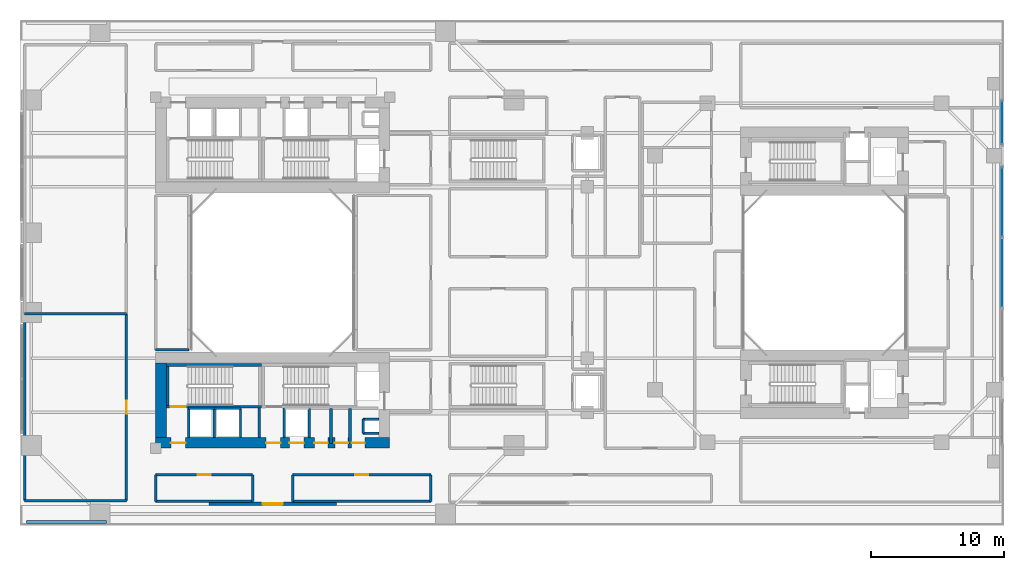
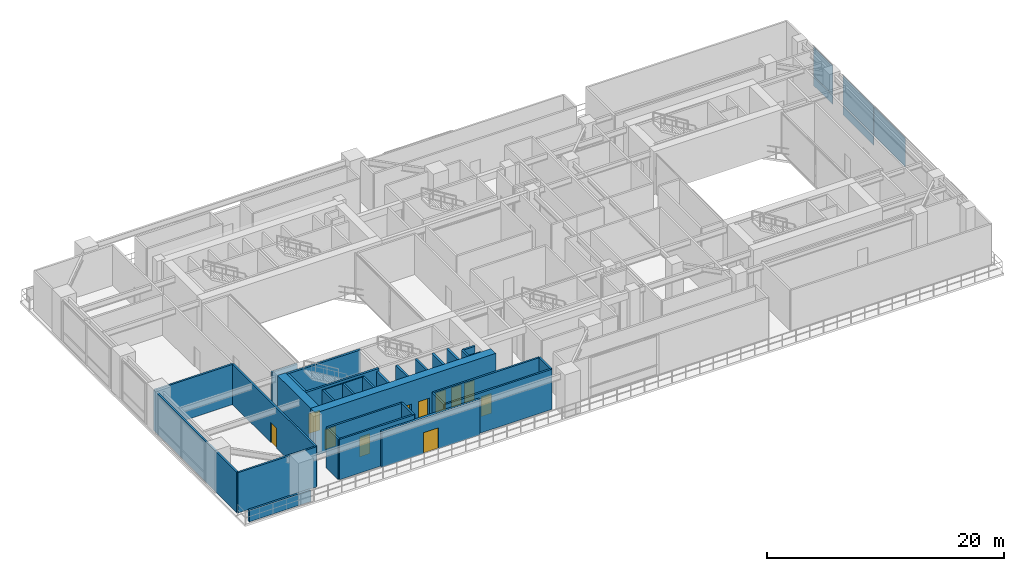
# One storey, part 11 of 20: 33 walls, 11 doors, 5 plates, 11 openings, 2 elements without a shape of their own.
"""IFC4 building model written with IfcOpenShell, lengths in metres."""

from ifc_helpers import new_model, si_unit, direction, frame, frame_2d, origin, origin_2d, place, context, subcontext, project, spatial, rectangle, extrude, source, transform, mapped, material, layer, layer_set, type_object, element, fill, aggregate, save


model = new_model("IFC4")

# Units and contexts
model_context = context("Model", 3, precision=1e-05, world=origin(), true_north=direction((0.0, 1.0)))
body_context = subcontext(model_context, "Body", "Model", "MODEL_VIEW")
ifc_project = project(units=[si_unit("LENGTHUNIT", "METRE"), si_unit("AREAUNIT", "SQUARE_METRE"), si_unit("VOLUMEUNIT", "CUBIC_METRE"), si_unit("PLANEANGLEUNIT", "RADIAN"), si_unit("MASSUNIT", "GRAM", prefix="KILO"), si_unit("THERMODYNAMICTEMPERATUREUNIT", "KELVIN"), si_unit("POWERUNIT", "WATT")], contexts=[model_context])

# Site, building, storey
site_placement = place(None, origin())
site = spatial("IfcSite", under=ifc_project, at=site_placement, CompositionType="ELEMENT")
building_placement = place(site_placement, origin())
building = spatial("IfcBuilding", under=site, at=building_placement, Name="Qiaomeng Ring Towers", CompositionType="ELEMENT")
storey_placement = place(building_placement, frame((0.0, 0.0, 13.800048828125)))
storey = spatial("IfcBuildingStorey", under=building, at=storey_placement, Name="L03", CompositionType="ELEMENT", Elevation=13.800048828125)

# Curtain wall, plate
ifc_material_1 = material(Name="Fluorocarbon dark-grey aluminium", Category="aluminium")
ifc_layer_1 = layer(ifc_material_1, 0.179931640625, Name="Fluorocarbon dark-grey aluminium")
ifc_layer_set_1 = layer_set([ifc_layer_1], Name="Fluorocarbon dark-grey aluminium")
curtain_wall_type = type_object("IfcCurtainWallType", Name="ARC-CW-1", PredefinedType="NOTDEFINED", material=ifc_layer_set_1)
curtain_wall_1_placement = place(storey_placement, origin())
curtain_wall_1 = element("IfcCurtainWall", 1, at=curtain_wall_1_placement, inside=storey, type_object=curtain_wall_type, Name="L03 Curtain Wall CW1", PredefinedType="NOTDEFINED")
ifc_material_2 = material(Name="Low-E pale-green laminated safety glass", Category="glass")
ifc_layer_2 = layer(ifc_material_2, 0.031982421875, Name="Low-E pale-green laminated safety glass")
ifc_layer_set_2 = layer_set([ifc_layer_2], Name="Low-E pale-green laminated safety glass")
plate_type = type_object("IfcPlateType", Name="ARC-CWP-GREEN", PredefinedType="CURTAIN_PANEL", material=ifc_layer_set_2)
shared_shape_1 = source(origin(), body_context, "Body", "SweptSolid", [
    extrude(rectangle(XDim=5.219970703125, YDim=0.031982421875, at=origin_2d()), origin(), (0.0, 0.0, 1.0), 0.945068359375),
])
plate_1_placement = place(storey_placement, frame((73.85009765625, 28.320068359375, 0.06982421875), z_axis=(0.0, 0.0, 1.0), x_axis=(0.0, 1.0, 0.0)))
plate_1 = element("IfcPlate", 2, at=plate_1_placement, type_object=plate_type, Name="CW1 panel 3.1", PredefinedType="CURTAIN_PANEL", context=body_context, shape_type="MappedRepresentation", body=[
    mapped(shared_shape_1, transform((0.0, 0.0, 0.0), x_axis=(1.0, 0.0, 0.0), y_axis=(0.0, 1.0, 0.0), z_axis=(0.0, 0.0, 1.0), scale=1.0)),
])

# Curtain wall, plates
curtain_wall_2_placement = place(storey_placement, origin())
curtain_wall_2 = element("IfcCurtainWall", 3, at=curtain_wall_2_placement, inside=storey, type_object=curtain_wall_type, Name="L03 Curtain Wall CW1", PredefinedType="NOTDEFINED")
shared_shape_2 = source(origin(), body_context, "Body", "SweptSolid", [
    extrude(rectangle(XDim=3.25, YDim=0.031982421875, at=origin_2d()), origin(), (0.0, 0.0, 1.0), 0.945068359375),
])
plate_2_placement = place(storey_placement, frame((73.85009765625, 34.294921875, 0.06982421875), z_axis=(0.0, 0.0, 1.0), x_axis=(0.0, 1.0, 0.0)))
plate_2 = element("IfcPlate", 4, at=plate_2_placement, type_object=plate_type, Name="CW1 panel 1.1", PredefinedType="CURTAIN_PANEL", context=body_context, shape_type="MappedRepresentation", body=[
    mapped(shared_shape_2, transform((0.0, 0.0, 0.0), x_axis=(1.0, 0.0, 0.0), y_axis=(0.0, 1.0, 0.0), z_axis=(0.0, 0.0, 1.0), scale=1.0)),
])
shared_shape_3 = source(origin(), body_context, "Body", "SweptSolid", [
    extrude(rectangle(XDim=3.25, YDim=0.031982421875, at=origin_2d()), origin(), (0.0, 0.0, 1.0), 2.9951171875),
])
plate_3_placement = place(storey_placement, frame((73.85009765625, 34.294921875, 1.0849609375), z_axis=(0.0, 0.0, 1.0), x_axis=(0.0, 1.0, 0.0)))
plate_3 = element("IfcPlate", 5, at=plate_3_placement, type_object=plate_type, Name="CW1 panel 1.2", PredefinedType="CURTAIN_PANEL", context=body_context, shape_type="MappedRepresentation", body=[
    mapped(shared_shape_3, transform((0.0, 0.0, 0.0), x_axis=(1.0, 0.0, 0.0), y_axis=(0.0, 1.0, 0.0), z_axis=(0.0, 0.0, 1.0), scale=1.0)),
])
aggregate(curtain_wall_2, [plate_2, plate_3])

# Plate
shared_shape_4 = source(origin(), body_context, "Body", "SweptSolid", [
    extrude(rectangle(XDim=5.219970703125, YDim=0.031982421875, at=origin_2d()), origin(), (0.0, 0.0, 1.0), 2.9951171875),
])
plate_4_placement = place(storey_placement, frame((73.85009765625, 28.320068359375, 1.0849609375), z_axis=(0.0, 0.0, 1.0), x_axis=(0.0, 1.0, 0.0)))
plate_4 = element("IfcPlate", 6, at=plate_4_placement, type_object=plate_type, Name="CW1 panel 3.2", PredefinedType="CURTAIN_PANEL", context=body_context, shape_type="MappedRepresentation", body=[
    mapped(shared_shape_4, transform((0.0, 0.0, 0.0), x_axis=(1.0, 0.0, 0.0), y_axis=(0.0, 1.0, 0.0), z_axis=(0.0, 0.0, 1.0), scale=1.0)),
])

shared_shape_5 = source(origin(), body_context, "Body", "SweptSolid", [
    extrude(rectangle(XDim=5.260009765625, YDim=0.031982421875, at=origin_2d()), origin(), (0.0, 0.0, 1.0), 2.9951171875),
])
plate_5_placement = place(storey_placement, frame((73.85009765625, 23.0, 1.0849609375), z_axis=(0.0, 0.0, 1.0), x_axis=(0.0, 1.0, 0.0)))
plate_5 = element("IfcPlate", 7, at=plate_5_placement, type_object=plate_type, Name="CW1 panel 2.2", PredefinedType="CURTAIN_PANEL", context=body_context, shape_type="MappedRepresentation", body=[
    mapped(shared_shape_5, transform((0.0, 0.0, 0.0), x_axis=(1.0, 0.0, 0.0), y_axis=(0.0, 1.0, 0.0), z_axis=(0.0, 0.0, 1.0), scale=1.0)),
])

aggregate(curtain_wall_1, [plate_5, plate_1, plate_4])

# Wall, opening, door
ifc_material_3 = material(Name="Precast concrete C40", Category="concrete")
ifc_layer_3 = layer(ifc_material_3, 0.25, Name="Precast concrete C40")
ifc_layer_set_3 = layer_set([ifc_layer_3], Name="Precast concrete C40")
wall_type_1 = type_object("IfcWallType", Name="ARC-WL-EW1", PredefinedType="STANDARD", material=ifc_layer_set_3)
wall_1_placement = place(storey_placement, frame((14.199951171875, 5.625, 0.0), z_axis=(0.0, 0.0, 1.0), x_axis=(1.0, 0.0, 0.0)))
wall_1 = element("IfcWall", 8, at=wall_1_placement, inside=storey, type_object=wall_type_1, Name="L03 South Podium Wall", PredefinedType="STANDARD", context=body_context, shape_type="SweptSolid", body=[
    extrude(rectangle(XDim=9.60009765625, YDim=0.25, at=frame_2d((4.800048828125, 0.0))), origin(), (0.0, 0.0, 1.0), 3.68994140625),
])
opening_1_placement = place(wall_1_placement, frame((4.050048828125, 0.0, 0.0)))
opening_1 = element("IfcOpeningElement", 9, at=opening_1_placement, cuts=wall_1, Name="Opening BD2", PredefinedType="OPENING", context=body_context, shape_type="SweptSolid", body=[
    extrude(rectangle(XDim=1.5, YDim=2.14990234375, at=frame_2d((0.75, 1.074951171875))), frame((0.0, 0.135009765625, 0.0), z_axis=(0.0, -1.0, 0.0), x_axis=(1.0, 0.0, 0.0)), (0.0, 0.0, 1.0), 0.27001953125),
])
door_type_1 = type_object("IfcDoorType", Name="ARC-DR-BD2", OperationType="NOTDEFINED", PredefinedType="DOOR", material=ifc_material_2)
shared_shape_6 = source(origin(), body_context, "Body", "SweptSolid", [
    extrude(rectangle(XDim=1.5, YDim=2.14990234375, at=frame_2d((0.75, 1.074951171875))), frame((0.0, 0.02490234375, 0.0), z_axis=(0.0, -1.0, 0.0), x_axis=(1.0, 0.0, 0.0)), (0.0, 0.0, 1.0), 0.050048828125),
])
door_1_placement = place(opening_1_placement, frame((1.5, 0.0, 0.0), z_axis=(0.0, 0.0, 1.0), x_axis=(-1.0, 0.0, 0.0)))
door_1 = element("IfcDoor", 10, at=door_1_placement, inside=storey, type_object=door_type_1, Name="L03 South Podium Terrace Door", OperationType="DOUBLE_DOOR_SINGLE_SWING", OverallHeight=2.14990234375, OverallWidth=1.5, PredefinedType="DOOR", context=body_context, shape_type="MappedRepresentation", body=[
    mapped(shared_shape_6, transform((0.0, 0.0, 0.0), x_axis=(1.0, 0.0, 0.0), y_axis=(0.0, 1.0, 0.0), z_axis=(0.0, 0.0, 1.0), scale=1.0)),
])
fill(opening_1, door_1)

# Walls
ifc_layer_4 = layer(ifc_material_3, 0.199951171875, Name="Precast concrete C40")
ifc_layer_set_4 = layer_set([ifc_layer_4], Name="Precast concrete C40")
wall_type_2 = type_object("IfcWallType", Name="ARC-WL-PP1", PredefinedType="PARAPET", material=ifc_layer_set_4)
wall_2_placement = place(storey_placement, frame((0.5, 4.25, 0.0), z_axis=(0.0, 0.0, 1.0), x_axis=(1.0, 0.0, 0.0)))
element("IfcWall", 11, at=wall_2_placement, inside=storey, type_object=wall_type_2, Name="L03 South Terrace Parapet PP1", PredefinedType="PARAPET", context=body_context, shape_type="SweptSolid", body=[
    extrude(rectangle(XDim=6.0, YDim=0.199951171875, at=frame_2d((3.0, 0.0))), origin(), (0.0, 0.0, 1.0), 1.199951171875),
])
ifc_material_4 = material(Name="Autoclaved aerated concrete block", Category="concrete")
ifc_layer_5 = layer(ifc_material_4, 0.199951171875, Name="Autoclaved aerated concrete block")
ifc_layer_set_5 = layer_set([ifc_layer_5], Name="Autoclaved aerated concrete block")
wall_type_3 = type_object("IfcWallType", Name="ARC-WL-PW1", PredefinedType="PARTITIONING", material=ifc_layer_set_5)
for number, where, z_axis, x_axis, name in (
    (12, (12.679931640625, 10.60009765625, 0.0), (0.0, 0.0, 1.0), (0.0, 1.0, 0.0), "L03 Interior Wall PW1"),
    (13, (18.0, 10.60009765625, 0.0), (0.0, 0.0, 1.0), (0.0, 1.0, 0.0), "L03 Interior Wall PW1"),
    (14, (19.8798828125, 10.60009765625, 0.0), (0.0, 0.0, 1.0), (0.0, 1.0, 0.0), "L03 Interior Wall PW1"),
):
    element("IfcWall", number, at=place(storey_placement, frame(where, z_axis=z_axis, x_axis=x_axis)), inside=storey, type_object=wall_type_3, Name=name, PredefinedType="PARTITIONING", context=body_context, shape_type="SweptSolid", body=[
        extrude(rectangle(XDim=2.2099609375, YDim=0.199951171875, at=frame_2d((1.10498046875, 0.0))), origin(), (0.0, 0.0, 1.0), 4.14990234375),
    ])
wall_3_placement = place(storey_placement, frame((24.820068359375, 10.14990234375, 0.0), z_axis=(0.0, 0.0, 1.0), x_axis=(0.0, 1.0, 0.0)))
element("IfcWall", 15, at=wall_3_placement, inside=storey, type_object=wall_type_3, Name="L03 Interior Wall PW1", PredefinedType="PARTITIONING", context=body_context, shape_type="SweptSolid", body=[
    extrude(rectangle(XDim=2.650146484375, YDim=0.199951171875, at=frame_2d((1.3251953125, 0.0))), origin(), (0.0, 0.0, 1.0), 4.14990234375),
])
wall_4_placement = place(storey_placement, frame((21.75, 10.60009765625, 0.0), z_axis=(0.0, 0.0, 1.0), x_axis=(0.0, 1.0, 0.0)))
element("IfcWall", 16, at=wall_4_placement, inside=storey, type_object=wall_type_3, Name="L03 Interior Wall PW1", PredefinedType="PARTITIONING", context=body_context, shape_type="SweptSolid", body=[
    extrude(rectangle(XDim=2.199951171875, YDim=0.199951171875, at=frame_2d((1.10009765625, 0.0))), origin(), (0.0, 0.0, 1.0), 4.14990234375),
])
wall_5_placement = place(storey_placement, frame((23.389892578125, 10.14990234375, 0.0), z_axis=(0.0, 0.0, 1.0), x_axis=(0.0, 1.0, 0.0)))
element("IfcWall", 17, at=wall_5_placement, inside=storey, type_object=wall_type_3, Name="L03 Interior Wall PW1", PredefinedType="PARTITIONING", context=body_context, shape_type="SweptSolid", body=[
    extrude(rectangle(XDim=2.650146484375, YDim=0.199951171875, at=frame_2d((1.3251953125, 0.0))), origin(), (0.0, 0.0, 1.0), 4.14990234375),
])
ifc_layer_6 = layer(ifc_material_4, 0.179931640625, Name="Autoclaved aerated concrete block")
ifc_layer_set_6 = layer_set([ifc_layer_6], Name="Autoclaved aerated concrete block")
wall_type_4 = type_object("IfcWallType", Name="ARC-WL-PW2", PredefinedType="PARTITIONING", material=ifc_layer_set_6)
for number, where, z_axis, x_axis, name in (
    (18, (0.35009765625, 5.85009765625, 0.0), (0.0, 0.0, 1.0), (1.0, 0.0, 0.0), "L03 Interior Wall PW2"),
    (19, (0.35009765625, 19.89990234375, 0.0), (0.0, 0.0, 1.0), (1.0, 0.0, 0.0), "L03 Interior Wall PW2"),
):
    element("IfcWall", number, at=place(storey_placement, frame(where, z_axis=z_axis, x_axis=x_axis)), inside=storey, type_object=wall_type_4, Name=name, PredefinedType="PARTITIONING", context=body_context, shape_type="SweptSolid", body=[
        extrude(rectangle(XDim=7.64990234375, YDim=0.179931640625, at=frame_2d((3.824951171875, 0.0))), origin(), (0.0, 0.0, 1.0), 4.14990234375),
    ])
wall_6_placement = place(storey_placement, frame((0.35009765625, 5.85009765625, 0.0), z_axis=(0.0, 0.0, 1.0), x_axis=(0.0, 1.0, 0.0)))
element("IfcWall", 20, at=wall_6_placement, inside=storey, type_object=wall_type_4, Name="L03 Interior Wall PW2", PredefinedType="PARTITIONING", context=body_context, shape_type="SweptSolid", body=[
    extrude(rectangle(XDim=14.0498046875, YDim=0.179931640625, at=frame_2d((7.02490234375, 0.0))), origin(), (0.0, 0.0, 1.0), 4.14990234375),
])

# Wall, opening, door
wall_7_placement = place(storey_placement, frame((8.0, 5.85009765625, 0.0), z_axis=(0.0, 0.0, 1.0), x_axis=(0.0, 1.0, 0.0)))
wall_7 = element("IfcWall", 21, at=wall_7_placement, inside=storey, type_object=wall_type_4, Name="L03 Interior Wall PW2", PredefinedType="PARTITIONING", context=body_context, shape_type="SweptSolid", body=[
    extrude(rectangle(XDim=14.0498046875, YDim=0.179931640625, at=frame_2d((7.02490234375, 0.0))), origin(), (0.0, 0.0, 1.0), 4.14990234375),
])
opening_2_placement = place(wall_7_placement, frame((6.52490234375, 0.0, 0.0)))
opening_2 = element("IfcOpeningElement", 22, at=opening_2_placement, cuts=wall_7, Name="Opening FD4", PredefinedType="OPENING", context=body_context, shape_type="SweptSolid", body=[
    extrude(rectangle(XDim=1.0, YDim=2.050048828125, at=frame_2d((0.5, 1.02490234375))), frame((0.0, 0.099853515625, 0.0), z_axis=(0.0, -1.0, 0.0), x_axis=(1.0, 0.0, 0.0)), (0.0, 0.0, 1.0), 0.199951171875),
])
ifc_material_5 = material(Name="Engineered fire-rated oak timber", Category="wood")
door_type_2 = type_object("IfcDoorType", Name="ARC-DR-FD4", OperationType="NOTDEFINED", PredefinedType="DOOR", material=ifc_material_5)
shared_shape_7 = source(origin(), body_context, "Body", "SweptSolid", [
    extrude(rectangle(XDim=1.0, YDim=2.050048828125, at=frame_2d((0.5, 1.02490234375))), frame((0.0, 0.02490234375, 0.0), z_axis=(0.0, -1.0, 0.0), x_axis=(1.0, 0.0, 0.0)), (0.0, 0.0, 1.0), 0.050048828125),
])
door_2_placement = place(opening_2_placement, origin())
door_2 = element("IfcDoor", 23, at=door_2_placement, inside=storey, type_object=door_type_2, Name="L03 L03 General Practice Clinic Door", OperationType="SINGLE_SWING_LEFT", OverallHeight=2.050048828125, OverallWidth=1.0, PredefinedType="DOOR", context=body_context, shape_type="MappedRepresentation", body=[
    mapped(shared_shape_7, transform((0.0, 0.0, 0.0), x_axis=(1.0, 0.0, 0.0), y_axis=(0.0, 1.0, 0.0), z_axis=(0.0, 0.0, 1.0), scale=1.0)),
])
fill(opening_2, door_2)

# Walls
wall_8_placement = place(storey_placement, frame((10.199951171875, 17.199951171875, 0.0), z_axis=(0.0, 0.0, 1.0), x_axis=(1.0, 0.0, 0.0)))
element("IfcWall", 24, at=wall_8_placement, inside=storey, type_object=wall_type_4, Name="L03 Interior Wall PW2", PredefinedType="PARTITIONING", context=body_context, shape_type="SweptSolid", body=[
    extrude(rectangle(XDim=2.5, YDim=0.179931640625, at=frame_2d((1.25, 0.0))), origin(), (0.0, 0.0, 1.0), 4.14990234375),
])
wall_9_placement = place(storey_placement, frame((10.199951171875, 5.800048828125, 0.0), z_axis=(0.0, 0.0, 1.0), x_axis=(1.0, 0.0, 0.0)))
element("IfcWall", 25, at=wall_9_placement, inside=storey, type_object=wall_type_4, Name="L03 Interior Wall PW2", PredefinedType="PARTITIONING", context=body_context, shape_type="SweptSolid", body=[
    extrude(rectangle(XDim=7.300048828125, YDim=0.179931640625, at=frame_2d((3.64990234375, 0.0))), origin(), (0.0, 0.0, 1.0), 4.14990234375),
])

# Wall, opening, door
wall_10_placement = place(storey_placement, frame((10.199951171875, 7.800048828125, 0.0), z_axis=(0.0, 0.0, 1.0), x_axis=(1.0, 0.0, 0.0)))
wall_10 = element("IfcWall", 26, at=wall_10_placement, inside=storey, type_object=wall_type_4, Name="L03 Interior Wall PW2", PredefinedType="PARTITIONING", context=body_context, shape_type="SweptSolid", body=[
    extrude(rectangle(XDim=7.300048828125, YDim=0.179931640625, at=frame_2d((3.64990234375, 0.0))), origin(), (0.0, 0.0, 1.0), 4.14990234375),
])
opening_3_placement = place(wall_10_placement, frame((3.14990234375, 0.0, 0.0)))
opening_3 = element("IfcOpeningElement", 27, at=opening_3_placement, cuts=wall_10, Name="Opening FD4", PredefinedType="OPENING", context=body_context, shape_type="SweptSolid", body=[
    extrude(rectangle(XDim=1.0, YDim=2.050048828125, at=frame_2d((0.5, 1.02490234375))), frame((0.0, 0.099853515625, 0.0), z_axis=(0.0, -1.0, 0.0), x_axis=(1.0, 0.0, 0.0)), (0.0, 0.0, 1.0), 0.199951171875),
])
door_3_placement = place(opening_3_placement, origin())
door_3 = element("IfcDoor", 28, at=door_3_placement, inside=storey, type_object=door_type_2, Name="L03 L03 Outpatient Rehabilitation Clinic Door", OperationType="SINGLE_SWING_LEFT", OverallHeight=2.050048828125, OverallWidth=1.0, PredefinedType="DOOR", context=body_context, shape_type="MappedRepresentation", body=[
    mapped(shared_shape_7, transform((0.0, 0.0, 0.0), x_axis=(1.0, 0.0, 0.0), y_axis=(0.0, 1.0, 0.0), z_axis=(0.0, 0.0, 1.0), scale=1.0)),
])
fill(opening_3, door_3)

# Walls
for number, where, z_axis, x_axis, name in (
    (29, (10.199951171875, 5.800048828125, 0.0), (0.0, 0.0, 1.0), (0.0, 1.0, 0.0), "L03 Interior Wall PW2"),
    (30, (17.5, 5.800048828125, 0.0), (0.0, 0.0, 1.0), (0.0, 1.0, 0.0), "L03 Interior Wall PW2"),
):
    element("IfcWall", number, at=place(storey_placement, frame(where, z_axis=z_axis, x_axis=x_axis)), inside=storey, type_object=wall_type_4, Name=name, PredefinedType="PARTITIONING", context=body_context, shape_type="SweptSolid", body=[
        extrude(rectangle(XDim=2.0, YDim=0.179931640625, at=frame_2d((1.0, 0.0))), origin(), (0.0, 0.0, 1.0), 4.14990234375),
    ])
wall_11_placement = place(storey_placement, frame((20.5, 5.800048828125, 0.0), z_axis=(0.0, 0.0, 1.0), x_axis=(1.0, 0.0, 0.0)))
element("IfcWall", 31, at=wall_11_placement, inside=storey, type_object=wall_type_4, Name="L03 Interior Wall PW2", PredefinedType="PARTITIONING", context=body_context, shape_type="SweptSolid", body=[
    extrude(rectangle(XDim=10.39990234375, YDim=0.179931640625, at=frame_2d((5.199951171875, 0.0))), origin(), (0.0, 0.0, 1.0), 4.14990234375),
])

# Wall, opening, door
wall_12_placement = place(storey_placement, frame((20.5, 7.800048828125, 0.0), z_axis=(0.0, 0.0, 1.0), x_axis=(1.0, 0.0, 0.0)))
wall_12 = element("IfcWall", 32, at=wall_12_placement, inside=storey, type_object=wall_type_4, Name="L03 Interior Wall PW2", PredefinedType="PARTITIONING", context=body_context, shape_type="SweptSolid", body=[
    extrude(rectangle(XDim=10.39990234375, YDim=0.179931640625, at=frame_2d((5.199951171875, 0.0))), origin(), (0.0, 0.0, 1.0), 4.14990234375),
])
opening_4_placement = place(wall_12_placement, frame((4.699951171875, 0.0, 0.0)))
opening_4 = element("IfcOpeningElement", 33, at=opening_4_placement, cuts=wall_12, Name="Opening FD4", PredefinedType="OPENING", context=body_context, shape_type="SweptSolid", body=[
    extrude(rectangle(XDim=1.0, YDim=2.050048828125, at=frame_2d((0.5, 1.02490234375))), frame((0.0, 0.099853515625, 0.0), z_axis=(0.0, -1.0, 0.0), x_axis=(1.0, 0.0, 0.0)), (0.0, 0.0, 1.0), 0.199951171875),
])
door_4_placement = place(opening_4_placement, origin())
door_4 = element("IfcDoor", 34, at=door_4_placement, inside=storey, type_object=door_type_2, Name="L03 L03 Vaccination Treatment Suite Door", OperationType="SINGLE_SWING_RIGHT", OverallHeight=2.050048828125, OverallWidth=1.0, PredefinedType="DOOR", context=body_context, shape_type="MappedRepresentation", body=[
    mapped(shared_shape_7, transform((0.0, 0.0, 0.0), x_axis=(1.0, 0.0, 0.0), y_axis=(0.0, 1.0, 0.0), z_axis=(0.0, 0.0, 1.0), scale=1.0)),
])
fill(opening_4, door_4)

# Walls
for number, where, z_axis, x_axis, name in (
    (35, (20.5, 5.800048828125, 0.0), (0.0, 0.0, 1.0), (0.0, 1.0, 0.0), "L03 Interior Wall PW2"),
    (36, (30.89990234375, 5.800048828125, 0.0), (0.0, 0.0, 1.0), (0.0, 1.0, 0.0), "L03 Interior Wall PW2"),
):
    element("IfcWall", number, at=place(storey_placement, frame(where, z_axis=z_axis, x_axis=x_axis)), inside=storey, type_object=wall_type_4, Name=name, PredefinedType="PARTITIONING", context=body_context, shape_type="SweptSolid", body=[
        extrude(rectangle(XDim=2.0, YDim=0.179931640625, at=frame_2d((1.0, 0.0))), origin(), (0.0, 0.0, 1.0), 4.14990234375),
    ])
ifc_material_6 = material(Name="Concrete C40", Category="concrete")
ifc_layer_7 = layer(ifc_material_6, 0.199951171875, Name="Concrete C40")
ifc_layer_set_7 = layer_set([ifc_layer_7], Name="Concrete C40")
wall_type_5 = type_object("IfcWallType", Name="STR-WL-STSHAFT", PredefinedType="SHEAR", material=ifc_layer_set_7)
wall_13_placement = place(storey_placement, frame((12.679931640625, 12.800048828125, 0.0), z_axis=(0.0, 0.0, 1.0), x_axis=(1.0, 0.0, 0.0)))
element("IfcWall", 37, at=wall_13_placement, inside=storey, type_object=wall_type_5, Name="L03 Lift LP6 Shaft Back Wall", PredefinedType="SHEAR", context=body_context, shape_type="SweptSolid", body=[
    extrude(rectangle(XDim=1.940185546875, YDim=0.179931640625, at=frame_2d((0.97021484375, 0.0))), origin(), (0.0, 0.0, 1.0), 4.14990234375),
])
wall_14_placement = place(storey_placement, frame((14.6201171875, 10.60009765625, 0.0), z_axis=(0.0, 0.0, 1.0), x_axis=(0.0, 1.0, 0.0)))
element("IfcWall", 38, at=wall_14_placement, inside=storey, type_object=wall_type_5, Name="L03 Lift LP6-LP4 Shaft Divider Wall", PredefinedType="SHEAR", context=body_context, shape_type="SweptSolid", body=[
    extrude(rectangle(XDim=2.199951171875, YDim=0.179931640625, at=frame_2d((1.10009765625, 0.0))), origin(), (0.0, 0.0, 1.0), 4.14990234375),
])
wall_15_placement = place(storey_placement, frame((25.800048828125, 10.919921875, 0.0), z_axis=(0.0, 0.0, 1.0), x_axis=(0.0, 1.0, 0.0)))
element("IfcWall", 39, at=wall_15_placement, inside=storey, type_object=wall_type_5, Name="L03 Riser RSR1 West Shaft Wall S", PredefinedType="SHEAR", context=body_context, shape_type="SweptSolid", body=[
    extrude(rectangle(XDim=1.06005859375, YDim=0.179931640625, at=frame_2d((0.530029296875, 0.0))), origin(), (0.0, 0.0, 1.0), 4.14990234375),
])
for number, where, z_axis, x_axis, name in (
    (40, (25.800048828125, 11.97998046875, 0.0), (0.0, 0.0, 1.0), (1.0, 0.0, 0.0), "L03 Riser RSR1 North Shaft Wall S"),
    (41, (25.800048828125, 10.919921875, 0.0), (0.0, 0.0, 1.0), (1.0, 0.0, 0.0), "L03 Riser RSR1 South Shaft Wall S"),
):
    element("IfcWall", number, at=place(storey_placement, frame(where, z_axis=z_axis, x_axis=x_axis)), inside=storey, type_object=wall_type_5, Name=name, PredefinedType="SHEAR", context=body_context, shape_type="SweptSolid", body=[
        extrude(rectangle(XDim=1.199951171875, YDim=0.179931640625, at=frame_2d((0.60009765625, 0.0))), origin(), (0.0, 0.0, 1.0), 4.14990234375),
    ])
wall_16_placement = place(storey_placement, frame((14.6201171875, 12.800048828125, 0.0), z_axis=(0.0, 0.0, 1.0), x_axis=(1.0, 0.0, 0.0)))
element("IfcWall", 42, at=wall_16_placement, inside=storey, type_object=wall_type_5, Name="L03 Lift LP4 Shaft Back Wall", PredefinedType="SHEAR", context=body_context, shape_type="SweptSolid", body=[
    extrude(rectangle(XDim=1.9599609375, YDim=0.179931640625, at=frame_2d((0.97998046875, 0.0))), origin(), (0.0, 0.0, 1.0), 4.14990234375),
])
wall_17_placement = place(storey_placement, frame((16.580078125, 10.60009765625, 0.0), z_axis=(0.0, 0.0, 1.0), x_axis=(0.0, 1.0, 0.0)))
element("IfcWall", 43, at=wall_17_placement, inside=storey, type_object=wall_type_5, Name="L03 Lift LP4 East Shaft Wall", PredefinedType="SHEAR", context=body_context, shape_type="SweptSolid", body=[
    extrude(rectangle(XDim=2.199951171875, YDim=0.179931640625, at=frame_2d((1.10009765625, 0.0))), origin(), (0.0, 0.0, 1.0), 4.14990234375),
])

# Wall, opening, door
wall_18_placement = place(storey_placement, frame((11.0, 12.909912109375, 0.0), z_axis=(0.0, 0.0, 1.0), x_axis=(1.0, 0.0, 0.0)))
wall_18 = element("IfcWall", 44, at=wall_18_placement, inside=storey, type_object=wall_type_5, Name="L03 Stair ST3 South Shaft Shear Wall", PredefinedType="SHEAR", context=body_context, shape_type="SweptSolid", body=[
    extrude(rectangle(XDim=7.14990234375, YDim=0.199951171875, at=frame_2d((3.574951171875, 0.0))), origin(), (0.0, 0.0, 1.0), 4.39990234375),
])
opening_5_placement = place(wall_18_placement, frame((0.35009765625, 0.0, 0.0)))
opening_5 = element("IfcOpeningElement", 45, at=opening_5_placement, cuts=wall_18, Name="Opening FD3", PredefinedType="OPENING", context=body_context, shape_type="SweptSolid", body=[
    extrude(rectangle(XDim=1.10009765625, YDim=2.050048828125, at=frame_2d((0.550048828125, 1.02490234375))), frame((0.0, 0.10986328125, 0.0), z_axis=(0.0, -1.0, 0.0), x_axis=(1.0, 0.0, 0.0)), (0.0, 0.0, 1.0), 0.219970703125),
])
ifc_material_7 = material(Name="Galvanised steel", Category="steel")
door_type_3 = type_object("IfcDoorType", Name="ARC-DR-FD3", OperationType="NOTDEFINED", PredefinedType="DOOR", material=ifc_material_7)
shared_shape_8 = source(origin(), body_context, "Body", "SweptSolid", [
    extrude(rectangle(XDim=1.10009765625, YDim=2.050048828125, at=frame_2d((0.550048828125, 1.02490234375))), frame((0.0, 0.02490234375, 0.0), z_axis=(0.0, -1.0, 0.0), x_axis=(1.0, 0.0, 0.0)), (0.0, 0.0, 1.0), 0.050048828125),
])
door_5_placement = place(opening_5_placement, frame((1.10009765625, 0.0, 0.0), z_axis=(0.0, 0.0, 1.0), x_axis=(-1.0, 0.0, 0.0)))
door_5 = element("IfcDoor", 46, at=door_5_placement, inside=storey, type_object=door_type_3, Name="L03 Stair ST3 Exit Door", OperationType="SINGLE_SWING_RIGHT", OverallHeight=2.050048828125, OverallWidth=1.10009765625, PredefinedType="DOOR", context=body_context, shape_type="MappedRepresentation", body=[
    mapped(shared_shape_8, transform((0.0, 0.0, 0.0), x_axis=(1.0, 0.0, 0.0), y_axis=(0.0, 1.0, 0.0), z_axis=(0.0, 0.0, 1.0), scale=1.0)),
])
fill(opening_5, door_5)

# Walls
wall_19_placement = place(storey_placement, frame((11.0, 16.050048828125, 0.0), z_axis=(0.0, 0.0, 1.0), x_axis=(1.0, 0.0, 0.0)))
element("IfcWall", 47, at=wall_19_placement, inside=storey, type_object=wall_type_5, Name="L03 Stair ST3 North Shaft Shear Wall", PredefinedType="SHEAR", context=body_context, shape_type="SweptSolid", body=[
    extrude(rectangle(XDim=7.14990234375, YDim=0.199951171875, at=frame_2d((3.574951171875, 0.0))), origin(), (0.0, 0.0, 1.0), 4.39990234375),
])
wall_20_placement = place(storey_placement, frame((11.10009765625, 13.010009765625, 0.0), z_axis=(0.0, 0.0, 1.0), x_axis=(0.0, 1.0, 0.0)))
element("IfcWall", 48, at=wall_20_placement, inside=storey, type_object=wall_type_5, Name="L03 Stair ST3 West Shaft Shear Wall", PredefinedType="SHEAR", context=body_context, shape_type="SweptSolid", body=[
    extrude(rectangle(XDim=2.93994140625, YDim=0.199951171875, at=frame_2d((1.469970703125, 0.0))), origin(), (0.0, 0.0, 1.0), 4.39990234375),
])

# Wall, openings, doors
ifc_material_8 = material(Name="Concrete C60", Category="concrete")
ifc_layer_8 = layer(ifc_material_8, 0.800048828125, Name="Concrete C60")
ifc_layer_set_8 = layer_set([ifc_layer_8], Name="Concrete C60")
wall_type_6 = type_object("IfcWallType", Name="STR-WL-SW1", PredefinedType="SHEAR", material=ifc_layer_set_8)
wall_21_placement = place(storey_placement, frame((10.199951171875, 10.199951171875, 0.0), z_axis=(0.0, 0.0, 1.0), x_axis=(1.0, 0.0, 0.0)))
wall_21 = element("IfcWall", 49, at=wall_21_placement, inside=storey, type_object=wall_type_6, Name="L03 T1SC south core shear wall", PredefinedType="SHEAR", context=body_context, shape_type="SweptSolid", body=[
    extrude(rectangle(XDim=17.60009765625, YDim=0.800048828125, at=frame_2d((8.800048828125, 0.0))), origin(), (0.0, 0.0, 1.0), 4.39990234375),
])
opening_6_placement = place(wall_21_placement, frame((1.14990234375, 0.0, 0.0)))
opening_6 = element("IfcOpeningElement", 50, at=opening_6_placement, cuts=wall_21, Name="Opening FD3", PredefinedType="OPENING", context=body_context, shape_type="SweptSolid", body=[
    extrude(rectangle(XDim=1.10009765625, YDim=2.050048828125, at=frame_2d((0.550048828125, 1.02490234375))), frame((0.0, 0.409912109375, 0.0), z_axis=(0.0, -1.0, 0.0), x_axis=(1.0, 0.0, 0.0)), (0.0, 0.0, 1.0), 0.820068359375),
])
opening_7_placement = place(wall_21_placement, frame((8.300048828125, 0.0, 0.0)))
opening_7 = element("IfcOpeningElement", 51, at=opening_7_placement, cuts=wall_21, Name="Opening FD3", PredefinedType="OPENING", context=body_context, shape_type="SweptSolid", body=[
    extrude(rectangle(XDim=1.10009765625, YDim=2.050048828125, at=frame_2d((0.550048828125, 1.02490234375))), frame((0.0, 0.409912109375, 0.0), z_axis=(0.0, -1.0, 0.0), x_axis=(1.0, 0.0, 0.0)), (0.0, 0.0, 1.0), 0.820068359375),
])
opening_8_placement = place(wall_21_placement, frame((10.050048828125, 0.0, 0.0)))
opening_8 = element("IfcOpeningElement", 52, at=opening_8_placement, cuts=wall_21, Name="Opening LD1", PredefinedType="OPENING", context=body_context, shape_type="SweptSolid", body=[
    extrude(rectangle(XDim=1.10009765625, YDim=2.050048828125, at=frame_2d((0.550048828125, 1.02490234375))), frame((0.0, 0.409912109375, 0.0), z_axis=(0.0, -1.0, 0.0), x_axis=(1.0, 0.0, 0.0)), (0.0, 0.0, 1.0), 0.820068359375),
])
opening_9_placement = place(wall_21_placement, frame((14.739990234375, 0.0, 0.0)))
opening_9 = element("IfcOpeningElement", 53, at=opening_9_placement, cuts=wall_21, Name="Opening FD1", PredefinedType="OPENING", context=body_context, shape_type="SweptSolid", body=[
    extrude(rectangle(XDim=1.0, YDim=2.050048828125, at=frame_2d((0.5, 1.02490234375))), frame((0.0, 0.409912109375, 0.0), z_axis=(0.0, -1.0, 0.0), x_axis=(1.0, 0.0, 0.0)), (0.0, 0.0, 1.0), 0.820068359375),
])
opening_10_placement = place(wall_21_placement, frame((11.945068359375, 0.0, 0.0)))
opening_10 = element("IfcOpeningElement", 54, at=opening_10_placement, cuts=wall_21, Name="Opening FD1", PredefinedType="OPENING", context=body_context, shape_type="SweptSolid", body=[
    extrude(rectangle(XDim=1.0, YDim=2.050048828125, at=frame_2d((0.5, 1.02490234375))), frame((0.0, 0.409912109375, 0.0), z_axis=(0.0, -1.0, 0.0), x_axis=(1.0, 0.0, 0.0)), (0.0, 0.0, 1.0), 0.820068359375),
])
opening_11_placement = place(wall_21_placement, frame((13.47998046875, 0.0, 0.0)))
opening_11 = element("IfcOpeningElement", 55, at=opening_11_placement, cuts=wall_21, Name="Opening FD1", PredefinedType="OPENING", context=body_context, shape_type="SweptSolid", body=[
    extrude(rectangle(XDim=1.0, YDim=2.050048828125, at=frame_2d((0.5, 1.02490234375))), frame((0.0, 0.409912109375, 0.0), z_axis=(0.0, -1.0, 0.0), x_axis=(1.0, 0.0, 0.0)), (0.0, 0.0, 1.0), 0.820068359375),
])
door_6_placement = place(opening_6_placement, origin())
door_6 = element("IfcDoor", 56, at=door_6_placement, inside=storey, type_object=door_type_3, Name="L03 Stair ST3 Lobby Door", OperationType="SINGLE_SWING_LEFT", OverallHeight=2.050048828125, OverallWidth=1.10009765625, PredefinedType="DOOR", context=body_context, shape_type="MappedRepresentation", body=[
    mapped(shared_shape_8, transform((0.0, 0.0, 0.0), x_axis=(1.0, 0.0, 0.0), y_axis=(0.0, 1.0, 0.0), z_axis=(0.0, 0.0, 1.0), scale=1.0)),
])
fill(opening_6, door_6)
door_7_placement = place(opening_7_placement, origin())
door_7 = element("IfcDoor", 57, at=door_7_placement, inside=storey, type_object=door_type_3, Name="L03 Stair ST4 Lobby Door", OperationType="SINGLE_SWING_LEFT", OverallHeight=2.050048828125, OverallWidth=1.10009765625, PredefinedType="DOOR", context=body_context, shape_type="MappedRepresentation", body=[
    mapped(shared_shape_8, transform((0.0, 0.0, 0.0), x_axis=(1.0, 0.0, 0.0), y_axis=(0.0, 1.0, 0.0), z_axis=(0.0, 0.0, 1.0), scale=1.0)),
])
fill(opening_7, door_7)
ifc_material_9 = material(Name="Stainless steel 316", Category="steel")
door_type_4 = type_object("IfcDoorType", Name="ARC-DR-LD1", OperationType="NOTDEFINED", PredefinedType="DOOR", material=ifc_material_9)
door_8_placement = place(opening_8_placement, origin())
door_8 = element("IfcDoor", 58, at=door_8_placement, inside=storey, type_object=door_type_4, Name="L03 Low-Zone Lift LP2 Landing Door", OperationType="SLIDING_TO_RIGHT", OverallHeight=2.050048828125, OverallWidth=1.10009765625, PredefinedType="DOOR", context=body_context, shape_type="MappedRepresentation", body=[
    mapped(shared_shape_8, transform((0.0, 0.0, 0.0), x_axis=(1.0, 0.0, 0.0), y_axis=(0.0, 1.0, 0.0), z_axis=(0.0, 0.0, 1.0), scale=1.0)),
])
fill(opening_8, door_8)
door_type_5 = type_object("IfcDoorType", Name="ARC-DR-FD1", OperationType="NOTDEFINED", PredefinedType="DOOR", material=ifc_material_7)
door_9_placement = place(opening_9_placement, origin())
door_9 = element("IfcDoor", 59, at=door_9_placement, inside=storey, type_object=door_type_5, Name="L03 South Electrical Riser Door", OperationType="SINGLE_SWING_RIGHT", OverallHeight=2.050048828125, OverallWidth=1.0, PredefinedType="DOOR", context=body_context, shape_type="MappedRepresentation", body=[
    mapped(shared_shape_7, transform((0.0, 0.0, 0.0), x_axis=(1.0, 0.0, 0.0), y_axis=(0.0, 1.0, 0.0), z_axis=(0.0, 0.0, 1.0), scale=1.0)),
])
fill(opening_9, door_9)
door_10_placement = place(opening_10_placement, origin())
door_10 = element("IfcDoor", 60, at=door_10_placement, inside=storey, type_object=door_type_5, Name="L03 South Beverage Pantry Door", OperationType="SINGLE_SWING_RIGHT", OverallHeight=2.050048828125, OverallWidth=1.0, PredefinedType="DOOR", context=body_context, shape_type="MappedRepresentation", body=[
    mapped(shared_shape_7, transform((0.0, 0.0, 0.0), x_axis=(1.0, 0.0, 0.0), y_axis=(0.0, 1.0, 0.0), z_axis=(0.0, 0.0, 1.0), scale=1.0)),
])
fill(opening_10, door_10)
door_11_placement = place(opening_11_placement, origin())
door_11 = element("IfcDoor", 61, at=door_11_placement, inside=storey, type_object=door_type_5, Name="L03 South Linen Store Door", OperationType="SINGLE_SWING_LEFT", OverallHeight=2.050048828125, OverallWidth=1.0, PredefinedType="DOOR", context=body_context, shape_type="MappedRepresentation", body=[
    mapped(shared_shape_7, transform((0.0, 0.0, 0.0), x_axis=(1.0, 0.0, 0.0), y_axis=(0.0, 1.0, 0.0), z_axis=(0.0, 0.0, 1.0), scale=1.0)),
])
fill(opening_11, door_11)

# Wall
wall_22_placement = place(storey_placement, frame((10.60009765625, 10.60009765625, 0.0), z_axis=(0.0, 0.0, 1.0), x_axis=(0.0, 1.0, 0.0)))
element("IfcWall", 62, at=wall_22_placement, inside=storey, type_object=wall_type_6, Name="L03 T1SC west core shear wall", PredefinedType="SHEAR", context=body_context, shape_type="SweptSolid", body=[
    extrude(rectangle(XDim=5.599853515625, YDim=0.800048828125, at=frame_2d((2.7998046875, 0.0))), origin(), (0.0, 0.0, 1.0), 4.39990234375),
])

save(model, "model.ifc")
